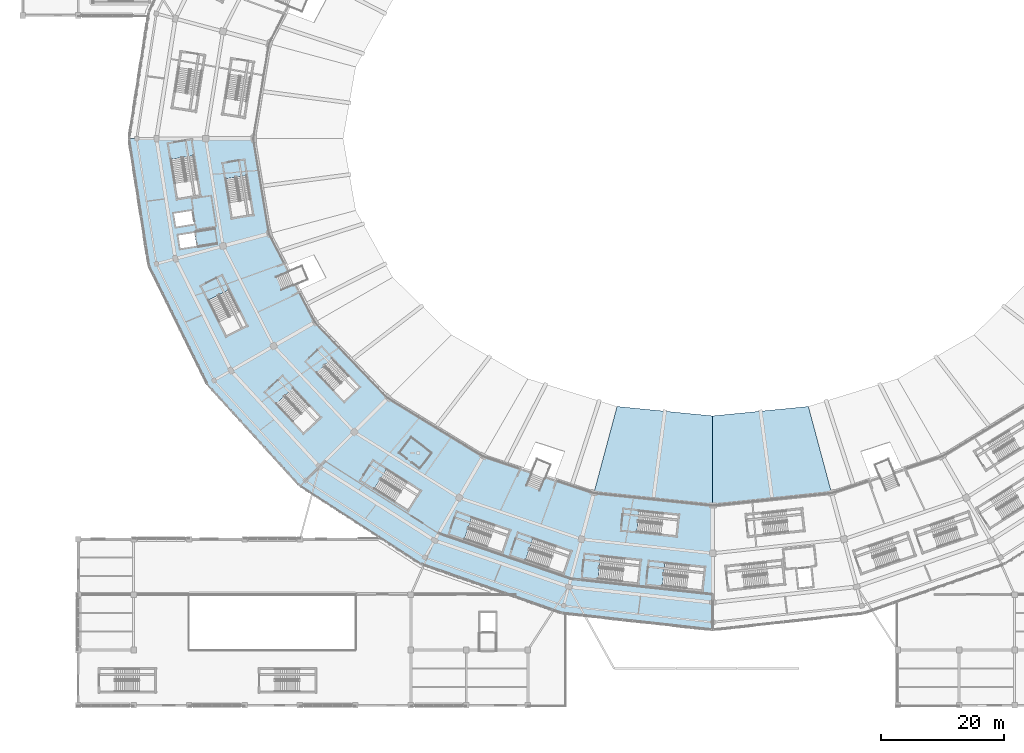
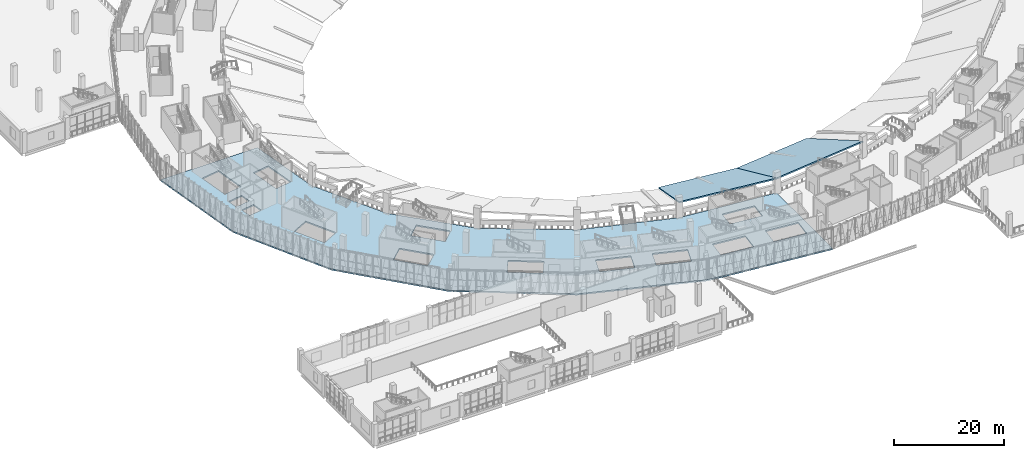
# One storey, part 76 of 183: 3 slabs.
"""IFC4 building model written with IfcOpenShell, lengths in metres."""

import ifcopenshell
import ifcopenshell.guid

model = None  # the IFC model being written
_history = None  # IfcOwnerHistory: only IFC2X3 demands one
_inside = {}  # id of a spatial element -> (the spatial element, [elements in it])
_under = {}  # id of a project, library or spatial element -> (it, [spatial elements below it])
_declared = {}  # id of a project -> (the project, [libraries it declares])
_typed = {}  # id of a type object -> (the type object, [elements of that type])
_made_of = {}  # id of a material, layer set ... -> (it, [elements and type objects made of it])


def new_model(schema):
    """Start an empty IFC model of exactly this schema.

    Asked for "IFC4X3", IfcOpenShell would pick the latest addendum, in which some entities
    have other attributes; the version numbers below select the first issue.
    IFC2X3 requires an IfcOwnerHistory on every rooted entity: one is made here for all.
    """
    global model, _history
    if schema == "IFC4X3":
        model = ifcopenshell.file(schema_version=(4, 3, 0, 0))
    else:
        model = ifcopenshell.file(schema=schema)
    _inside.clear()
    _under.clear()
    _declared.clear()
    _typed.clear()
    _made_of.clear()
    _history = None
    if model.schema == "IFC2X3":
        org = make("IfcOrganization", Name="unknown")
        user = make(
            "IfcPersonAndOrganization",
            ThePerson=make("IfcPerson", FamilyName="unknown"),
            TheOrganization=org,
        )
        app = make(
            "IfcApplication",
            ApplicationDeveloper=org,
            Version="unknown",
            ApplicationFullName="unknown",
            ApplicationIdentifier="unknown",
        )
        _history = make(
            "IfcOwnerHistory",
            OwningUser=user,
            OwningApplication=app,
            ChangeAction="ADDED",
            CreationDate=0,
        )
    return model


def make(cls, **values):
    """One entity of the class cls with the attributes given. An attribute that is None is left unset."""
    return model.create_entity(
        cls, **{name: value for name, value in values.items() if value is not None}
    )


def rooted(cls, **values):
    """An entity with a GlobalId (a new one), such as an element, a storey or a relation."""
    return make(cls, GlobalId=ifcopenshell.guid.new(), OwnerHistory=_history, **values)


def si_unit(unit_type, name, prefix=None):
    """IfcSIUnit, for example si_unit("LENGTHUNIT", "METRE", prefix="MILLI")."""
    return make("IfcSIUnit", UnitType=unit_type, Prefix=prefix, Name=name)


def assignment(units):
    """IfcUnitAssignment: the units of a project."""
    return None if units is None else make("IfcUnitAssignment", Units=units)


def point(xyz):
    """IfcCartesianPoint."""
    return None if xyz is None else make("IfcCartesianPoint", Coordinates=xyz)


def direction(xyz):
    """IfcDirection."""
    return None if xyz is None else make("IfcDirection", DirectionRatios=xyz)


def frame(location, z_axis=None, x_axis=None):
    """IfcAxis2Placement3D, a coordinate frame: its origin and axes. An axis left out is left unset."""
    return make(
        "IfcAxis2Placement3D",
        Location=point(location),
        Axis=direction(z_axis),
        RefDirection=direction(x_axis),
    )


def origin():
    """The frame at (0, 0, 0) with its axes left unset."""
    return frame((0.0, 0.0, 0.0))


def place(relative_to, where):
    """IfcLocalPlacement: puts the frame where relative to a parent placement (None: the world)."""
    return make(
        "IfcLocalPlacement", PlacementRelTo=relative_to, RelativePlacement=where
    )


def context(
    kind, dimensions, precision=None, world=None, true_north=None, identifier=None
):
    """IfcGeometricRepresentationContext, for example the 3D "Model" context."""
    return make(
        "IfcGeometricRepresentationContext",
        ContextIdentifier=identifier,
        ContextType=kind,
        CoordinateSpaceDimension=dimensions,
        Precision=precision,
        WorldCoordinateSystem=world,
        TrueNorth=true_north,
    )


def subcontext(parent, identifier, kind, view, scale=None):
    """IfcGeometricRepresentationSubContext, for example "Body" below "Model"."""
    return make(
        "IfcGeometricRepresentationSubContext",
        ContextIdentifier=identifier,
        ContextType=kind,
        ParentContext=parent,
        TargetScale=scale,
        TargetView=view,
    )


def project(units=None, contexts=None):
    """IfcProject with its units and contexts."""
    return rooted(
        "IfcProject",
        Name="project",
        RepresentationContexts=contexts,
        UnitsInContext=assignment(units),
    )


def spatial(cls, under=None, at=None, **own):
    """A site, building, storey or space (cls), placed at a placement, below another one or the project."""
    s = rooted(cls, ObjectPlacement=at, **own)
    if under is not None:
        _under.setdefault(under.id(), (under, []))[1].append(s)
    return s


def polyline(points):
    """IfcPolyline through the points."""
    return make("IfcPolyline", Points=[point(p) for p in points])


def outline(outer, holes=None, kind="AREA"):
    """IfcArbitraryClosedProfileDef: a profile drawn as a closed curve; with holes, ...WithVoids."""
    if holes is None:
        return make("IfcArbitraryClosedProfileDef", ProfileType=kind, OuterCurve=outer)
    return make(
        "IfcArbitraryProfileDefWithVoids",
        ProfileType=kind,
        OuterCurve=outer,
        InnerCurves=holes,
    )


def extrude(swept, where, along, depth):
    """IfcExtrudedAreaSolid: the profile swept, set in the frame where, extruded along a direction by depth."""
    return make(
        "IfcExtrudedAreaSolid",
        SweptArea=swept,
        Position=where,
        ExtrudedDirection=direction(along),
        Depth=depth,
    )


def shape(context_of_items, identifier, shape_type, items):
    """IfcShapeRepresentation: the items that make up one representation, for example the "Body"."""
    return make(
        "IfcShapeRepresentation",
        ContextOfItems=context_of_items,
        RepresentationIdentifier=identifier,
        RepresentationType=shape_type,
        Items=items,
    )


def material(Name=None, Category=None):
    """IfcMaterial."""
    return make("IfcMaterial", Name=Name, Category=Category)


def layer(
    of_material, thickness, ventilated=None, Name=None, Category=None, Priority=None
):
    """IfcMaterialLayer: one layer of a wall or slab, of a material (None: an air gap)."""
    return make(
        "IfcMaterialLayer",
        Material=of_material,
        LayerThickness=thickness,
        IsVentilated=ventilated,
        Name=Name,
        Category=Category,
        Priority=Priority,
    )


def layer_set(layers, Name=None):
    """IfcMaterialLayerSet."""
    return make("IfcMaterialLayerSet", MaterialLayers=layers, LayerSetName=Name)


def made_of(thing, what):
    """Note that an element or type object is made of a material, layer set ...; save() writes the relation."""
    if what is not None:
        _made_of.setdefault(what.id(), (what, []))[1].append(thing)
    return thing


def type_object(cls, material=None, **own):
    """A type object (cls), such as IfcWallType, which elements share."""
    return made_of(rooted(cls, **own), material)


def element(
    cls,
    number,
    at=None,
    inside=None,
    cuts=None,
    type_object=None,
    material=None,
    context=None,
    identifier="Body",
    shape_type=None,
    held_by="IfcProductDefinitionShape",
    body=None,
    shapes=None,
    **own,
):
    """One element of the class cls, such as IfcWall. Its Tag is "e" and its number.

    at: its placement. inside: the storey or other place that contains it. cuts: it is an
    opening in that element (IfcRelVoidsElement). A single representation is given by context,
    identifier, shape_type and body (its items); several are given by shapes. held_by: the class
    of the entity that holds the representations. save() writes the other relations.
    """
    e = rooted(cls, Tag="e%d" % number, ObjectPlacement=at, **own)
    if body is not None:
        shapes = [shape(context, identifier, shape_type, body)]
    if shapes is not None:
        e.Representation = make(held_by, Representations=shapes)
    if inside is not None:
        _inside.setdefault(inside.id(), (inside, []))[1].append(e)
    if cuts is not None:
        rooted(
            "IfcRelVoidsElement", RelatingBuildingElement=cuts, RelatedOpeningElement=e
        )
    if type_object is not None:
        _typed.setdefault(type_object.id(), (type_object, []))[1].append(e)
    return made_of(e, material)


def aggregate(whole, parts):
    """IfcRelAggregates: a whole, such as a stair, and the parts it consists of."""
    return rooted("IfcRelAggregates", RelatingObject=whole, RelatedObjects=parts)


def save(model, path):
    """Write the relations noted so far, then the file.

    IfcRelAggregates (storeys below a building ...), IfcRelContainedInSpatialStructure (elements
    in a storey), IfcRelDefinesByType, IfcRelAssociatesMaterial and IfcRelDeclares: one each for
    every whole, place, type object, material and project.
    """
    for whole, parts in _under.values():
        aggregate(whole, parts)
    for where, things in _inside.values():
        rooted(
            "IfcRelContainedInSpatialStructure",
            RelatedElements=things,
            RelatingStructure=where,
        )
    for kind, things in _typed.values():
        rooted("IfcRelDefinesByType", RelatedObjects=things, RelatingType=kind)
    for what, things in _made_of.values():
        rooted("IfcRelAssociatesMaterial", RelatedObjects=things, RelatingMaterial=what)
    for by, libraries in _declared.values():
        rooted("IfcRelDeclares", RelatingContext=by, RelatedDefinitions=libraries)
    model.write(path)


model = new_model("IFC4")

# Units and contexts
model_context = context("Model", 3, precision=1e-05, world=origin(), true_north=direction((0.0, 1.0)))
body_context = subcontext(model_context, "Body", "Model", "MODEL_VIEW")
ifc_project = project(units=[si_unit("LENGTHUNIT", "METRE"), si_unit("AREAUNIT", "SQUARE_METRE"), si_unit("VOLUMEUNIT", "CUBIC_METRE"), si_unit("PLANEANGLEUNIT", "RADIAN"), si_unit("MASSUNIT", "GRAM", prefix="KILO")], contexts=[model_context])

# Site, building, storey
site_placement = place(None, origin())
site = spatial("IfcSite", under=ifc_project, at=site_placement, CompositionType="ELEMENT")
building_placement = place(site_placement, origin())
building = spatial("IfcBuilding", under=site, at=building_placement, Name="Zevraka Park Crest Stadium", CompositionType="ELEMENT")
storey_placement = place(building_placement, frame((0.0, 0.0, 5.39990234375)))
storey = spatial("IfcBuildingStorey", under=building, at=storey_placement, Name="L01", CompositionType="ELEMENT", Elevation=5.39990234375)

# Slabs
ifc_material_1 = material(Name="Concrete C35/45", Category="concrete")
ifc_layer_1 = layer(ifc_material_1, 0.300048828125)
ifc_layer_set_1 = layer_set([ifc_layer_1], Name="Concrete C35/45")
slab_type_1 = type_object("IfcSlabType", Name="FS01", PredefinedType="FLOOR", material=ifc_layer_set_1)
slab_1_placement = place(storey_placement, frame((0.0, 0.0, -0.2998046875)))
element("IfcSlab", 1, at=slab_1_placement, inside=storey, type_object=slab_type_1, Name="Bowl Concourse Ring Slab L01 Q3-SW-1", PredefinedType="FLOOR", context=body_context, shape_type="SweptSolid", body=[
    extrude(outline(polyline([(40.0390625, 76.60009765625), (47.48095703125, 62.25), (59.321044921875, 49.927001953125), (74.75, 40.470947265625), (92.718017578125, 34.527099609375), (112.0, 32.5), (112.0, 12.199951171875), (87.464111328125, 14.9189453125), (64.60009765625, 22.89111328125), (44.966064453125, 35.572998046875), (29.90087890625, 52.10009765625), (20.429931640625, 71.345947265625), (17.199951171875, 92.0), (37.5, 92.0), (40.0390625, 76.60009765625)]), holes=[polyline([(48.339111328125, 46.748046875), (43.904052734375, 51.527099609375), (41.14794921875, 48.969970703125), (45.5830078125, 44.19091796875), (48.339111328125, 46.748046875)]), polyline([(52.158935546875, 49.298095703125), (54.66796875, 51.678955078125), (50.215087890625, 56.373046875), (47.705078125, 53.990966796875), (52.158935546875, 49.298095703125)]), polyline([(33.02294921875, 59.947021484375), (36.384033203125, 61.631103515625), (33.464111328125, 67.4599609375), (30.10205078125, 65.77587890625), (33.02294921875, 59.947021484375)]), polyline([(28.23291015625, 74.580078125), (27.887939453125, 76.7529296875), (25.220947265625, 76.330078125), (25.56591796875, 74.156982421875), (28.23291015625, 74.580078125)]), polyline([(24.85302734375, 77.68896484375), (27.81591796875, 78.159912109375), (27.470947265625, 80.3330078125), (24.508056640625, 79.862060546875), (24.85302734375, 77.68896484375)]), polyline([(33.947021484375, 79.10009765625), (37.362060546875, 79.656005859375), (36.322998046875, 86.0419921875), (32.907958984375, 85.486083984375), (33.947021484375, 79.10009765625)]), polyline([(28.76806640625, 82.80810546875), (27.742919921875, 89.2470703125), (24.030029296875, 88.655029296875), (25.054931640625, 82.217041015625), (28.76806640625, 82.80810546875)]), polyline([(110.306884765625, 18.694091796875), (110.714111328125, 22.431884765625), (104.23193359375, 23.136962890625), (103.824951171875, 19.39892578125), (110.306884765625, 18.694091796875)]), polyline([(99.868896484375, 19.830078125), (100.27587890625, 23.568115234375), (93.7939453125, 24.27294921875), (93.386962890625, 20.534912109375), (99.868896484375, 19.830078125)]), polyline([(87.781982421875, 21.470947265625), (89.0, 25.028076171875), (82.83203125, 27.14111328125), (81.614013671875, 23.5830078125), (87.781982421875, 21.470947265625)]), polyline([(77.847900390625, 24.8720703125), (79.06591796875, 28.428955078125), (72.89794921875, 30.5419921875), (71.679931640625, 26.98388671875), (77.847900390625, 24.8720703125)]), polyline([(106.12109375, 27.486083984375), (106.487060546875, 30.926025390625), (100.052978515625, 31.611083984375), (99.68701171875, 28.169921875), (106.12109375, 27.486083984375)]), polyline([(62.5458984375, 31.6708984375), (64.56005859375, 34.845947265625), (59.054931640625, 38.339111328125), (57.0400390625, 35.1640625), (62.5458984375, 31.6708984375)])]), origin(), (0.0, 0.0, 1.0), 0.2998046875),
])
ifc_material_2 = material(Name="Concrete C35/45", Category="concrete")
ifc_layer_2 = layer(ifc_material_2, 0.25)
ifc_layer_set_2 = layer_set([ifc_layer_2], Name="Concrete C35/45")
slab_type_2 = type_object("IfcSlabType", Name="STL1", PredefinedType="USERDEFINED", material=ifc_layer_set_2)
slab_2_placement = place(storey_placement, frame((96.470947265625, 48.532958984375, -3.08349609375), z_axis=(0.054465828111, 0.413666018695, 0.908798051574), x_axis=(0.995052106198, -0.098227153194, -0.014924219484)))
element("IfcSlab", 2, at=slab_2_placement, inside=storey, type_object=slab_type_2, Name="Lower Tier Raked Seating Slab 17", ObjectType="SEATING TIER", PredefinedType="USERDEFINED", context=body_context, shape_type="SweptSolid", body=[
    extrude(outline(polyline([(0.0, 0.0), (15.606270829883039, 8.326672684688674e-17), (16.93206324516256, -15.87619486979239), (-2.4571062015499865, -15.740790839660301), (0.0, 0.0)])), origin(), (0.0, 0.0, -1.0), 0.25),
])
slab_3_placement = place(storey_placement, frame((112.0, 47.0, -3.31640625), z_axis=(-0.054465828111, 0.413666018695, 0.908798051574), x_axis=(0.995052106198, 0.098227153194, 0.014924219484)))
element("IfcSlab", 3, at=slab_3_placement, inside=storey, type_object=slab_type_2, Name="Lower Tier Raked Seating Slab 18", ObjectType="SEATING TIER", PredefinedType="USERDEFINED", context=body_context, shape_type="SweptSolid", body=[
    extrude(outline(polyline([(0.0, 0.0), (15.606270829883039, -8.326672684688674e-17), (18.063377031433024, -15.740790839660301), (-1.3257924152795209, -15.876194869792387), (0.0, 0.0)])), origin(), (0.0, 0.0, -1.0), 0.25),
])

save(model, "model.ifc")
